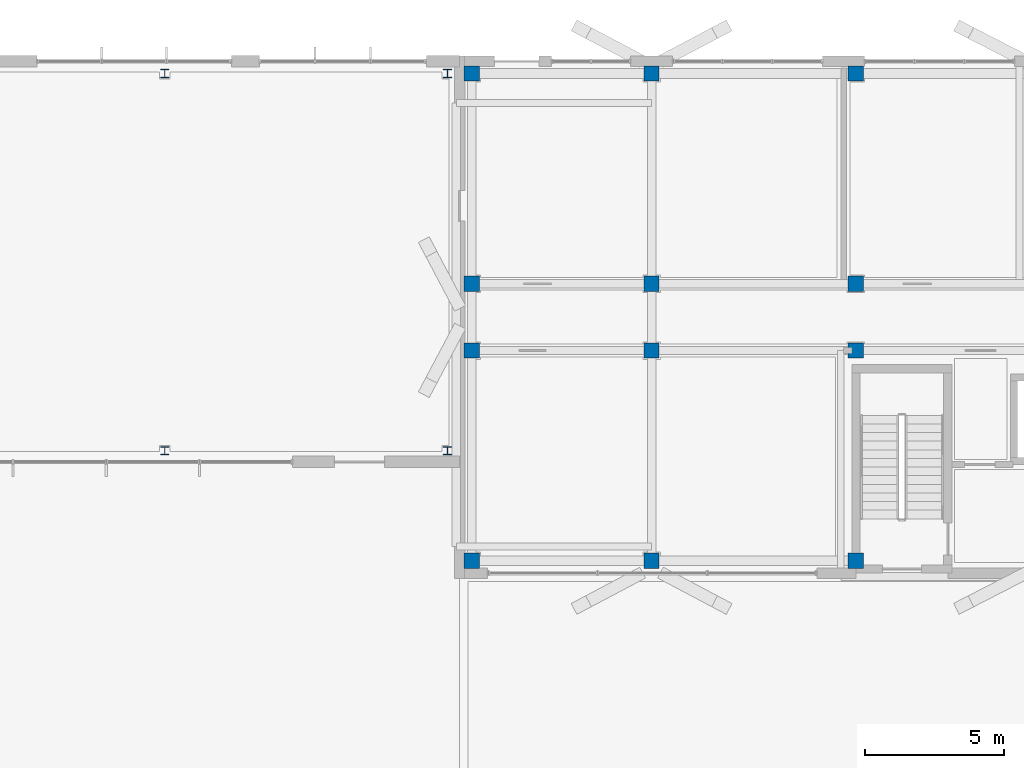
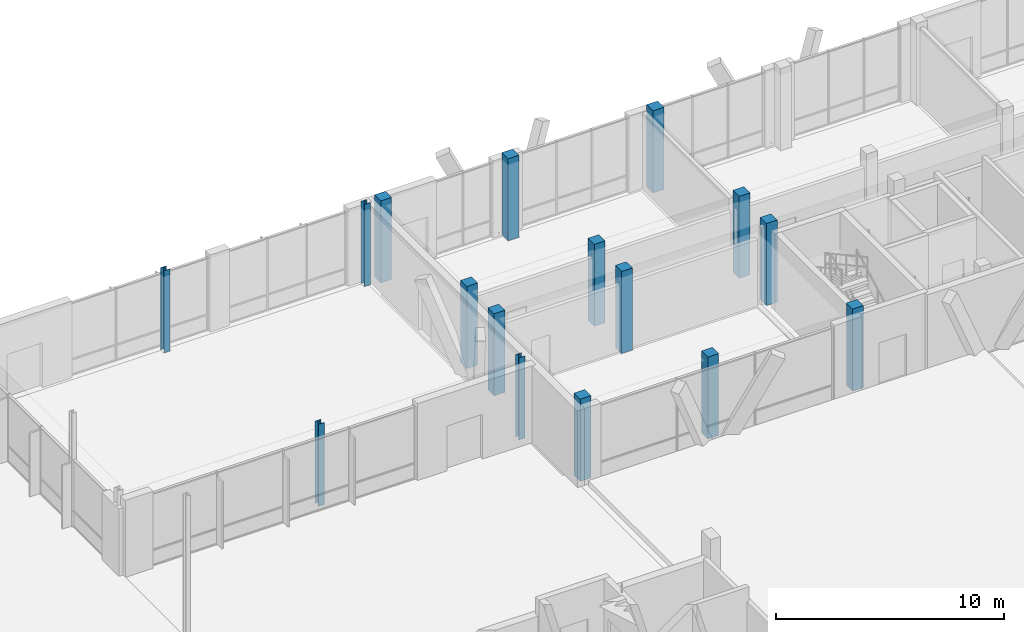
# One storey, part 12 of 233: 16 columns.
"""IFC4 building model written with IfcOpenShell, lengths in metres."""

from ifc_helpers import new_model, si_unit, direction, frame, origin, origin_2d, place, context, subcontext, project, spatial, rectangle, i_section, extrude, material, material_profile, profile_set, type_object, element, save


model = new_model("IFC4")

# Units and contexts
model_context = context("Model", 3, precision=1e-05, world=origin(), true_north=direction((0.0, 1.0)))
body_context = subcontext(model_context, "Body", "Model", "MODEL_VIEW")
ifc_project = project(units=[si_unit("LENGTHUNIT", "METRE"), si_unit("AREAUNIT", "SQUARE_METRE"), si_unit("VOLUMEUNIT", "CUBIC_METRE"), si_unit("PLANEANGLEUNIT", "RADIAN"), si_unit("MASSUNIT", "GRAM", prefix="KILO")], contexts=[model_context])

# Site, building, storey
site_placement = place(None, origin())
site = spatial("IfcSite", under=ifc_project, at=site_placement, CompositionType="ELEMENT")
building_placement = place(site_placement, origin())
building = spatial("IfcBuilding", under=site, at=building_placement, Name="Zavelmont Quarter", CompositionType="ELEMENT")
storey_placement = place(building_placement, origin())
storey = spatial("IfcBuildingStorey", under=building, at=storey_placement, Name="L00", CompositionType="ELEMENT", Elevation=0.0)

# Columns
ifc_material_1 = material(Name="Concrete C40/50", Category="concrete")
ifc_material_profile_1 = material_profile(ifc_material_1, rectangle(XDim=0.550048828125, YDim=0.550048828125, at=origin_2d()), Name="RC550X550")
ifc_profile_set_1 = profile_set([ifc_material_profile_1], Name="Concrete C40/50")
column_type_1 = type_object("IfcColumnType", Name="CL02", PredefinedType="COLUMN", material=ifc_profile_set_1)
for number, where, z_axis, x_axis, name in (
    (1, (113.239990234375, 98.0400390625, 0.0), (0.0, 0.0, 1.0), (1.0, 0.0, 0.0), "L00 column CL02 at 17/P"),
    (2, (113.239990234375, 105.60009765625, 0.0), (0.0, 0.0, 1.0), (1.0, 0.0, 0.0), "L00 column CL02 at 17/Q"),
    (3, (113.239990234375, 108.0, 0.0), (0.0, 0.0, 1.0), (1.0, 0.0, 0.0), "L00 column CL02 at 17/R"),
    (4, (113.239990234375, 115.56005859375, 0.0), (0.0, 0.0, 1.0), (1.0, 0.0, 0.0), "L00 column CL02 at 17/S"),
    (5, (119.699951171875, 98.0400390625, 0.0), (0.0, 0.0, 1.0), (1.0, 0.0, 0.0), "L00 column CL02 at 18/P"),
    (6, (119.699951171875, 105.60009765625, 0.0), (0.0, 0.0, 1.0), (1.0, 0.0, 0.0), "L00 column CL02 at 18/Q"),
    (7, (119.699951171875, 108.0, 0.0), (0.0, 0.0, 1.0), (1.0, 0.0, 0.0), "L00 column CL02 at 18/R"),
    (8, (119.699951171875, 115.56005859375, 0.0), (0.0, 0.0, 1.0), (1.0, 0.0, 0.0), "L00 column CL02 at 18/S"),
    (9, (127.0400390625, 98.0400390625, 0.0), (0.0, 0.0, 1.0), (1.0, 0.0, 0.0), "L00 column CL02 at 19/P"),
    (10, (127.0400390625, 105.60009765625, 0.0), (0.0, 0.0, 1.0), (1.0, 0.0, 0.0), "L00 column CL02 at 19/Q"),
    (11, (127.0400390625, 108.0, 0.0), (0.0, 0.0, 1.0), (1.0, 0.0, 0.0), "L00 column CL02 at 19/R"),
    (12, (127.0400390625, 115.56005859375, 0.0), (0.0, 0.0, 1.0), (1.0, 0.0, 0.0), "L00 column CL02 at 19/S"),
):
    element("IfcColumn", number, at=place(storey_placement, frame(where, z_axis=z_axis, x_axis=x_axis)), inside=storey, type_object=column_type_1, Name=name, PredefinedType="COLUMN", context=body_context, shape_type="SweptSolid", body=[
        extrude(rectangle(XDim=0.550048828125, YDim=0.550048828125, at=origin_2d()), origin(), (0.0, 0.0, 1.0), 4.39990234375),
    ])
ifc_material_2 = material(Name="Steel S355", Category="steel")
ifc_material_profile_2 = material_profile(ifc_material_2, i_section(OverallWidth=0.300048828125, OverallDepth=0.300048828125, WebThickness=0.010986328125, FlangeThickness=0.01904296875, at=origin_2d()), Name="HEB 300")
ifc_profile_set_2 = profile_set([ifc_material_profile_2], Name="Steel S355")
column_type_2 = type_object("IfcColumnType", Name="CL10", PredefinedType="COLUMN", material=ifc_profile_set_2)
for number, where, z_axis, x_axis, name in (
    (13, (102.199951171875, 102.0, 0.0), (0.0, 0.0, 1.0), (1.0, 0.0, 0.0), "L00 column CL10 at 16/Q"),
    (14, (102.199951171875, 115.56005859375, 0.0), (0.0, 0.0, 1.0), (1.0, 0.0, 0.0), "L00 column CL10 at 16/S"),
    (15, (112.360107421875, 102.0, 0.0), (0.0, 0.0, 1.0), (1.0, 0.0, 0.0), "L00 column CL10 at 17/Q"),
    (16, (112.360107421875, 115.56005859375, 0.0), (0.0, 0.0, 1.0), (1.0, 0.0, 0.0), "L00 column CL10 at 17/S"),
):
    element("IfcColumn", number, at=place(storey_placement, frame(where, z_axis=z_axis, x_axis=x_axis)), inside=storey, type_object=column_type_2, Name=name, PredefinedType="COLUMN", context=body_context, shape_type="SweptSolid", body=[
        extrude(i_section(OverallWidth=0.300048828125, OverallDepth=0.300048828125, WebThickness=0.010986328125, FlangeThickness=0.01904296875, at=origin_2d()), origin(), (0.0, 0.0, 1.0), 4.39990234375),
    ])

save(model, "model.ifc")
